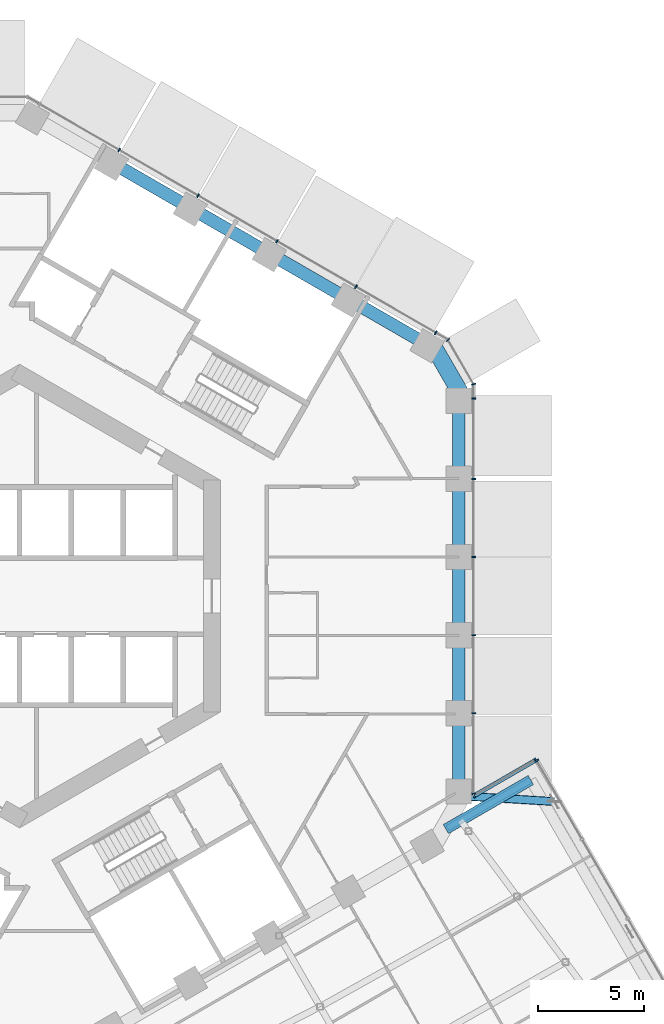
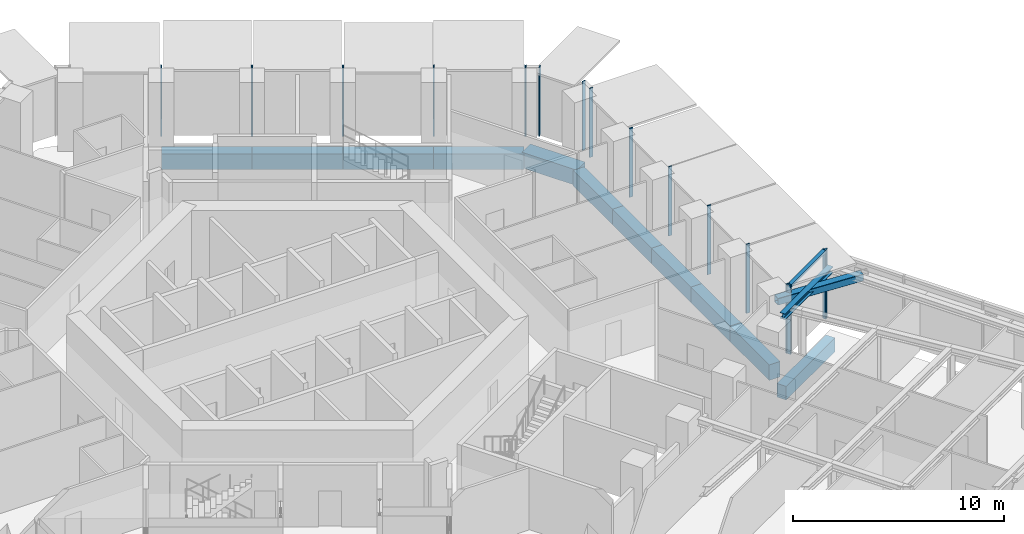
# One storey, part 7 of 28: 18 members, 12 beams, 5 elements without a shape of their own.
"""IFC4 building model written with IfcOpenShell, lengths in metres."""

from ifc_helpers import new_model, si_unit, direction, frame, origin, origin_2d, place, context, subcontext, project, spatial, rectangle, hollow_rectangle, i_section, extrude, material, layer, layer_set, material_profile, profile_set, type_object, element, aggregate, save


model = new_model("IFC4")

# Units and contexts
model_context = context("Model", 3, precision=1e-05, world=origin(), true_north=direction((0.0, 1.0)))
body_context = subcontext(model_context, "Body", "Model", "MODEL_VIEW")
ifc_project = project(units=[si_unit("LENGTHUNIT", "METRE"), si_unit("AREAUNIT", "SQUARE_METRE"), si_unit("VOLUMEUNIT", "CUBIC_METRE"), si_unit("PLANEANGLEUNIT", "RADIAN"), si_unit("MASSUNIT", "GRAM", prefix="KILO")], contexts=[model_context])

# Site, building, storey
site_placement = place(None, origin())
site = spatial("IfcSite", under=ifc_project, at=site_placement, CompositionType="ELEMENT")
building_placement = place(site_placement, origin())
building = spatial("IfcBuilding", under=site, at=building_placement, Name="Ayvan Gate Tower", CompositionType="ELEMENT")
storey_placement = place(building_placement, frame((0.0, 0.0, 74.300048828125)))
storey = spatial("IfcBuildingStorey", under=building, at=storey_placement, Name="L19", CompositionType="ELEMENT", Elevation=74.300048828125)

# Beams
ifc_material_1 = material(Name="Concrete C40/50", Category="concrete")
ifc_material_profile_1 = material_profile(ifc_material_1, rectangle(XDim=0.800048828125, YDim=0.89990234375, at=origin_2d()), Name="RC 800x900")
ifc_profile_set_1 = profile_set([ifc_material_profile_1], Name="Concrete C40/50")
beam_type_1 = type_object("IfcBeamType", Name="Corner spandrel beam RC 800x900 C40/50", PredefinedType="BEAM", material=ifc_profile_set_1)
beam_1_placement = place(storey_placement, frame((20.97509765625, 9.41162109375, -0.85009765625), z_axis=(-0.50002537861, 0.866010750942, 0.0), x_axis=(-0.866010750942, -0.50002537861, 0.0)))
element("IfcBeam", 1, at=beam_1_placement, inside=storey, type_object=beam_type_1, Name="SB-L19-6", PredefinedType="BEAM", context=body_context, shape_type="SweptSolid", body=[
    extrude(rectangle(XDim=0.800048828125, YDim=0.89990234375, at=origin_2d()), origin(), (0.0, 0.0, 1.0), 2.999755859375),
])
ifc_material_profile_2 = material_profile(ifc_material_1, rectangle(XDim=0.5, YDim=0.800048828125, at=origin_2d()), Name="RC 500x800")
ifc_profile_set_2 = profile_set([ifc_material_profile_2], Name="Concrete C40/50")
beam_type_2 = type_object("IfcBeamType", Name="Sky bar edge beam RC 500x800 C40/50", PredefinedType="BEAM", material=ifc_profile_set_2)
beam_2_placement = place(storey_placement, frame((20.171142578125, -11.024169921875, -0.800048828125), z_axis=(0.866037613427, 0.499978851683, 0.0), x_axis=(-0.499978851683, 0.866037613427, 0.0)))
element("IfcBeam", 2, at=beam_2_placement, inside=storey, type_object=beam_type_2, Name="EB-B1-L19-1", PredefinedType="BEAM", context=body_context, shape_type="SweptSolid", body=[
    extrude(rectangle(XDim=0.5, YDim=0.800048828125, at=origin_2d()), origin(), (0.0, 0.0, 1.0), 4.643310546875),
])
ifc_material_2 = material(Name="Steel S460ML", Category="steel")
ifc_material_profile_3 = material_profile(ifc_material_2, i_section(OverallWidth=0.300048828125, OverallDepth=0.340087890625, WebThickness=0.011962890625, FlangeThickness=0.021484375, FilletRadius=0.027099609375, at=origin_2d()), Name="HE 340 B")
ifc_profile_set_3 = profile_set([ifc_material_profile_3], Name="Steel S460ML")
beam_type_3 = type_object("IfcBeamType", Name="Sky bar roof edge beam B1 HE 340 B", PredefinedType="BEAM", material=ifc_profile_set_3)
beam_3_placement = place(storey_placement, frame((20.248046875, -10.979736328125, 3.530029296875), z_axis=(0.866017766086, 0.500013228649, 0.0), x_axis=(-0.500013228649, 0.866017766086, 0.0)))
element("IfcBeam", 3, at=beam_3_placement, inside=storey, type_object=beam_type_3, Name="RE-B1-2-1", PredefinedType="BEAM", context=body_context, shape_type="SweptSolid", body=[
    extrude(i_section(OverallWidth=0.300048828125, OverallDepth=0.340087890625, WebThickness=0.011962890625, FlangeThickness=0.021484375, FilletRadius=0.027099609375, at=origin_2d()), origin(), (0.0, 0.0, 1.0), 4.5546875),
])

# Member
ifc_material_3 = material(Name="Steel S460NH", Category="steel")
ifc_material_profile_4 = material_profile(ifc_material_3, hollow_rectangle(XDim=0.39990234375, YDim=0.39990234375, WallThickness=0.02001953125, InnerFilletRadius=0.02001953125, OuterFilletRadius=0.030029296875, at=origin_2d()), Name="RHS 400x400x20")
ifc_profile_set_4 = profile_set([ifc_material_profile_4], Name="Steel S460NH")
member_type_1 = type_object("IfcMemberType", Name="Sky bar truss brace B1 RHS 400x400x20", PredefinedType="BRACE", material=ifc_profile_set_4)
member_1_placement = place(storey_placement, frame((20.78466796875, -9.445556640625, 3.349853515625), z_axis=(0.99814068147, -0.060952276375, 0.0), x_axis=(0.060952276375, 0.99814068147, 0.0)))
element("IfcMember", 4, at=member_1_placement, inside=storey, type_object=member_type_1, Name="SBX1-A-TC-1", PredefinedType="CHORD", context=body_context, shape_type="SweptSolid", body=[
    extrude(hollow_rectangle(XDim=0.39990234375, YDim=0.39990234375, WallThickness=0.02001953125, InnerFilletRadius=0.02001953125, OuterFilletRadius=0.030029296875, at=origin_2d()), origin(), (0.0, 0.0, 1.0), 4.5302734375),
])

# Beams
ifc_material_profile_5 = material_profile(ifc_material_1, rectangle(XDim=0.60009765625, YDim=0.89990234375, at=origin_2d()), Name="RC 600x900")
ifc_profile_set_5 = profile_set([ifc_material_profile_5], Name="Concrete C40/50")
beam_type_4 = type_object("IfcBeamType", Name="Spandrel beam RC 600x900 C40/50", PredefinedType="BEAM", material=ifc_profile_set_5)
beam_4_placement = place(storey_placement, frame((20.78466796875, -9.301513671875, -0.85009765625), z_axis=(0.0, 1.0, 0.0), x_axis=(-1.0, 0.0, 0.0)))
element("IfcBeam", 5, at=beam_4_placement, inside=storey, type_object=beam_type_4, Name="SB-L19-1", PredefinedType="BEAM", context=body_context, shape_type="SweptSolid", body=[
    extrude(rectangle(XDim=0.60009765625, YDim=0.89990234375, at=origin_2d()), origin(), (0.0, 0.0, 1.0), 3.720703125),
])
beam_5_placement = place(storey_placement, frame((20.78466796875, -5.580810546875, -0.85009765625), z_axis=(0.0, 1.0, 0.0), x_axis=(-1.0, 0.0, 0.0)))
element("IfcBeam", 6, at=beam_5_placement, inside=storey, type_object=beam_type_4, Name="SB-L19-2", PredefinedType="BEAM", context=body_context, shape_type="SweptSolid", body=[
    extrude(rectangle(XDim=0.60009765625, YDim=0.89990234375, at=origin_2d()), origin(), (0.0, 0.0, 1.0), 3.720458984375),
])
beam_6_placement = place(storey_placement, frame((20.78466796875, -1.8603515625, -0.85009765625), z_axis=(0.0, 1.0, 0.0), x_axis=(-1.0, 0.0, 0.0)))
element("IfcBeam", 7, at=beam_6_placement, inside=storey, type_object=beam_type_4, Name="SB-L19-3", PredefinedType="BEAM", context=body_context, shape_type="SweptSolid", body=[
    extrude(rectangle(XDim=0.60009765625, YDim=0.89990234375, at=origin_2d()), origin(), (0.0, 0.0, 1.0), 3.720703125),
])
beam_7_placement = place(storey_placement, frame((20.78466796875, 1.8603515625, -0.85009765625), z_axis=(0.0, 1.0, 0.0), x_axis=(-1.0, 0.0, 0.0)))
element("IfcBeam", 8, at=beam_7_placement, inside=storey, type_object=beam_type_4, Name="SB-L19-4", PredefinedType="BEAM", context=body_context, shape_type="SweptSolid", body=[
    extrude(rectangle(XDim=0.60009765625, YDim=0.89990234375, at=origin_2d()), origin(), (0.0, 0.0, 1.0), 3.720458984375),
])
beam_8_placement = place(storey_placement, frame((20.78466796875, 5.580810546875, -0.85009765625), z_axis=(0.0, 1.0, 0.0), x_axis=(-1.0, 0.0, 0.0)))
element("IfcBeam", 9, at=beam_8_placement, inside=storey, type_object=beam_type_4, Name="SB-L19-5", PredefinedType="BEAM", context=body_context, shape_type="SweptSolid", body=[
    extrude(rectangle(XDim=0.60009765625, YDim=0.89990234375, at=origin_2d()), origin(), (0.0, 0.0, 1.0), 3.720703125),
])
for number, where, z_axis, x_axis, name in (
    (10, (19.28466796875, 11.899658203125, -0.85009765625), (-0.866037162714, 0.499979632384, 0.0), (-0.499979632384, -0.866037162714, 0.0), "SB-L19-7"),
    (11, (15.560302734375, 14.0498046875, -0.85009765625), (-0.866037162714, 0.499979632384, 0.0), (-0.499979632384, -0.866037162714, 0.0), "SB-L19-8"),
    (12, (11.8359375, 16.199951171875, -0.85009765625), (-0.866012580594, 0.500022209759, 0.0), (-0.500022209759, -0.866012580594, 0.0), "SB-L19-9"),
):
    element("IfcBeam", number, at=place(storey_placement, frame(where, z_axis=z_axis, x_axis=x_axis)), inside=storey, type_object=beam_type_4, Name=name, PredefinedType="BEAM", context=body_context, shape_type="SweptSolid", body=[
        extrude(rectangle(XDim=0.60009765625, YDim=0.89990234375, at=origin_2d()), origin(), (0.0, 0.0, 1.0), 4.300537109375),
    ])
beam_9_placement = place(storey_placement, frame((8.111572265625, 18.350341796875, -0.85009765625), z_axis=(-0.866022970146, 0.500004215162, 0.0), x_axis=(-0.500004215162, -0.866022970146, 0.0)))
element("IfcBeam", 13, at=beam_9_placement, inside=storey, type_object=beam_type_4, Name="SB-L19-10", PredefinedType="BEAM", context=body_context, shape_type="SweptSolid", body=[
    extrude(rectangle(XDim=0.60009765625, YDim=0.89990234375, at=origin_2d()), origin(), (0.0, 0.0, 1.0), 4.30029296875),
])

# Curtain wall, members
ifc_material_4 = material(Name="Bronze anodised aluminium", Category="aluminium")
ifc_layer_1 = layer(ifc_material_4, 0.199951171875)
ifc_layer_set_1 = layer_set([ifc_layer_1], Name="Bronze anodised aluminium")
curtain_wall_type_1 = type_object("IfcCurtainWallType", Name="Stick curtain wall CW-1", PredefinedType="NOTDEFINED", material=ifc_layer_set_1)
curtain_wall_1_placement = place(storey_placement, origin())
curtain_wall_1 = element("IfcCurtainWall", 14, at=curtain_wall_1_placement, inside=storey, type_object=curtain_wall_type_1, Name="Stick curtain wall CW-1 L19", PredefinedType="NOTDEFINED")
ifc_material_profile_6 = material_profile(ifc_material_4, rectangle(XDim=0.199951171875, YDim=0.06005859375, at=origin_2d()), Name="Stick curtain wall CW-1 mullion 200 x 60")
ifc_profile_set_6 = profile_set([ifc_material_profile_6], Name="Bronze anodised aluminium")
member_type_2 = type_object("IfcMemberType", Name="Stick curtain wall CW-1 mullion 200 x 60", PredefinedType="MULLION", material=ifc_profile_set_6)
member_2_placement = place(storey_placement, frame((21.484619140625, -9.346435546875, 0.0), z_axis=(0.0, 0.0, 1.0), x_axis=(1.0, 0.0, 0.0)))
member_2 = element("IfcMember", 15, at=member_2_placement, type_object=member_type_2, Name="CW-1 mullion 1", PredefinedType="MULLION", context=body_context, shape_type="SweptSolid", body=[
    extrude(rectangle(XDim=0.199951171875, YDim=0.06005859375, at=origin_2d()), origin(), (0.0, 0.0, 1.0), 4.0),
])
member_3_placement = place(storey_placement, frame((21.484619140625, -5.546630859375, 0.0), z_axis=(0.0, 0.0, 1.0), x_axis=(1.0, 0.0, 0.0)))
member_3 = element("IfcMember", 16, at=member_3_placement, type_object=member_type_2, Name="CW-1 mullion 2", PredefinedType="MULLION", context=body_context, shape_type="SweptSolid", body=[
    extrude(rectangle(XDim=0.199951171875, YDim=0.06005859375, at=origin_2d()), origin(), (0.0, 0.0, 1.0), 4.0),
])
member_4_placement = place(storey_placement, frame((21.484619140625, -1.8486328125, 0.0), z_axis=(0.0, 0.0, 1.0), x_axis=(1.0, 0.0, 0.0)))
member_4 = element("IfcMember", 17, at=member_4_placement, type_object=member_type_2, Name="CW-1 mullion 3", PredefinedType="MULLION", context=body_context, shape_type="SweptSolid", body=[
    extrude(rectangle(XDim=0.199951171875, YDim=0.06005859375, at=origin_2d()), origin(), (0.0, 0.0, 1.0), 4.0),
])
member_5_placement = place(storey_placement, frame((21.484619140625, 1.848388671875, 0.0), z_axis=(0.0, 0.0, 1.0), x_axis=(1.0, 0.0, 0.0)))
member_5 = element("IfcMember", 18, at=member_5_placement, type_object=member_type_2, Name="CW-1 mullion 4", PredefinedType="MULLION", context=body_context, shape_type="SweptSolid", body=[
    extrude(rectangle(XDim=0.199951171875, YDim=0.06005859375, at=origin_2d()), origin(), (0.0, 0.0, 1.0), 4.0),
])
member_6_placement = place(storey_placement, frame((21.484619140625, 5.54638671875, 0.0), z_axis=(0.0, 0.0, 1.0), x_axis=(1.0, 0.0, 0.0)))
member_6 = element("IfcMember", 19, at=member_6_placement, type_object=member_type_2, Name="CW-1 mullion 5", PredefinedType="MULLION", context=body_context, shape_type="SweptSolid", body=[
    extrude(rectangle(XDim=0.199951171875, YDim=0.06005859375, at=origin_2d()), origin(), (0.0, 0.0, 1.0), 4.0),
])
member_7_placement = place(storey_placement, frame((21.484619140625, 9.346435546875, 0.0), z_axis=(0.0, 0.0, 1.0), x_axis=(1.0, 0.0, 0.0)))
member_7 = element("IfcMember", 20, at=member_7_placement, type_object=member_type_2, Name="CW-1 mullion 6", PredefinedType="MULLION", context=body_context, shape_type="SweptSolid", body=[
    extrude(rectangle(XDim=0.199951171875, YDim=0.06005859375, at=origin_2d()), origin(), (0.0, 0.0, 1.0), 4.0),
])
aggregate(curtain_wall_1, [member_2, member_3, member_4, member_5, member_6, member_7])

curtain_wall_2_placement = place(storey_placement, origin())
curtain_wall_2 = element("IfcCurtainWall", 21, at=curtain_wall_2_placement, inside=storey, type_object=curtain_wall_type_1, Name="Stick curtain wall CW-1 L19", PredefinedType="NOTDEFINED")
member_8_placement = place(storey_placement, frame((19.6884765625, 12.45751953125, 0.0), z_axis=(0.0, 0.0, 1.0), x_axis=(0.5, 0.866025403784, 0.0)))
member_8 = element("IfcMember", 22, at=member_8_placement, type_object=member_type_2, Name="CW-1 mullion 1", PredefinedType="MULLION", context=body_context, shape_type="SweptSolid", body=[
    extrude(rectangle(XDim=0.199951171875, YDim=0.06005859375, at=origin_2d()), origin(), (0.0, 0.0, 1.0), 4.0),
])
member_9_placement = place(storey_placement, frame((15.917724609375, 14.634521484375, 0.0), z_axis=(0.0, 0.0, 1.0), x_axis=(0.5, 0.866025403784, 0.0)))
member_9 = element("IfcMember", 23, at=member_9_placement, type_object=member_type_2, Name="CW-1 mullion 2", PredefinedType="MULLION", context=body_context, shape_type="SweptSolid", body=[
    extrude(rectangle(XDim=0.199951171875, YDim=0.06005859375, at=origin_2d()), origin(), (0.0, 0.0, 1.0), 4.0),
])
member_10_placement = place(storey_placement, frame((12.183349609375, 16.79052734375, 0.0), z_axis=(0.0, 0.0, 1.0), x_axis=(0.5, 0.866025403784, 0.0)))
member_10 = element("IfcMember", 24, at=member_10_placement, type_object=member_type_2, Name="CW-1 mullion 3", PredefinedType="MULLION", context=body_context, shape_type="SweptSolid", body=[
    extrude(rectangle(XDim=0.199951171875, YDim=0.06005859375, at=origin_2d()), origin(), (0.0, 0.0, 1.0), 4.0),
])
member_11_placement = place(storey_placement, frame((8.44921875, 18.946533203125, 0.0), z_axis=(0.0, 0.0, 1.0), x_axis=(0.5, 0.866025403784, 0.0)))
member_11 = element("IfcMember", 25, at=member_11_placement, type_object=member_type_2, Name="CW-1 mullion 4", PredefinedType="MULLION", context=body_context, shape_type="SweptSolid", body=[
    extrude(rectangle(XDim=0.199951171875, YDim=0.06005859375, at=origin_2d()), origin(), (0.0, 0.0, 1.0), 4.0),
])
member_12_placement = place(storey_placement, frame((4.71484375, 21.1025390625, 0.0), z_axis=(0.0, 0.0, 1.0), x_axis=(0.5, 0.866025403784, 0.0)))
member_12 = element("IfcMember", 26, at=member_12_placement, type_object=member_type_2, Name="CW-1 mullion 5", PredefinedType="MULLION", context=body_context, shape_type="SweptSolid", body=[
    extrude(rectangle(XDim=0.199951171875, YDim=0.06005859375, at=origin_2d()), origin(), (0.0, 0.0, 1.0), 4.0),
])
aggregate(curtain_wall_2, [member_8, member_9, member_10, member_11, member_12])

# Curtain wall, member
ifc_layer_2 = layer(ifc_material_4, 0.199951171875)
ifc_layer_set_2 = layer_set([ifc_layer_2], Name="Bronze anodised aluminium")
curtain_wall_type_2 = type_object("IfcCurtainWallType", Name="Stick curtain wall CW-4", PredefinedType="NOTDEFINED", material=ifc_layer_set_2)
curtain_wall_3_placement = place(storey_placement, origin())
curtain_wall_3 = element("IfcCurtainWall", 27, at=curtain_wall_3_placement, inside=storey, type_object=curtain_wall_type_2, Name="Stick curtain wall CW-4 L19", PredefinedType="NOTDEFINED")
ifc_material_profile_7 = material_profile(ifc_material_4, rectangle(XDim=0.199951171875, YDim=0.080078125, at=origin_2d()), Name="Stick curtain wall CW-4 mullion 200 x 80")
ifc_profile_set_7 = profile_set([ifc_material_profile_7], Name="Bronze anodised aluminium")
member_type_3 = type_object("IfcMemberType", Name="Stick curtain wall CW-4 mullion 200 x 80", PredefinedType="MULLION", material=ifc_profile_set_7)
member_13_placement = place(storey_placement, frame((24.46875, -7.781005859375, 0.0), z_axis=(0.0, 0.0, 1.0), x_axis=(0.866025403784, 0.5, 0.0)))
member_13 = element("IfcMember", 28, at=member_13_placement, type_object=member_type_3, Name="CW-4 mullion 5", PredefinedType="MULLION", context=body_context, shape_type="SweptSolid", body=[
    extrude(rectangle(XDim=0.199951171875, YDim=0.080078125, at=origin_2d()), origin(), (0.0, 0.0, 1.0), 4.0),
])
aggregate(curtain_wall_3, [member_13])

# Curtain wall, members
curtain_wall_4_placement = place(storey_placement, origin())
curtain_wall_4 = element("IfcCurtainWall", 29, at=curtain_wall_4_placement, inside=storey, type_object=curtain_wall_type_2, Name="Stick curtain wall CW-4 L19", PredefinedType="NOTDEFINED")
member_14_placement = place(storey_placement, frame((24.4140625, -7.766357421875, 0.0), z_axis=(0.0, 0.0, 1.0), x_axis=(-0.5, 0.866025403784, 0.0)))
member_14 = element("IfcMember", 30, at=member_14_placement, type_object=member_type_3, Name="CW-4 mullion 1", PredefinedType="MULLION", context=body_context, shape_type="SweptSolid", body=[
    extrude(rectangle(XDim=0.199951171875, YDim=0.080078125, at=origin_2d()), origin(), (0.0, 0.0, 1.0), 4.0),
])
member_15_placement = place(storey_placement, frame((21.49365234375, -9.452392578125, 0.0), z_axis=(0.0, 0.0, 1.0), x_axis=(-0.5, 0.866025403784, 0.0)))
member_15 = element("IfcMember", 31, at=member_15_placement, type_object=member_type_3, Name="CW-4 mullion 2", PredefinedType="MULLION", context=body_context, shape_type="SweptSolid", body=[
    extrude(rectangle(XDim=0.199951171875, YDim=0.080078125, at=origin_2d()), origin(), (0.0, 0.0, 1.0), 4.0),
])
ifc_material_profile_8 = material_profile(ifc_material_4, rectangle(XDim=0.199951171875, YDim=0.139892578125, at=origin_2d()), Name="Stick curtain wall CW-4 transom 200 x 140")
ifc_profile_set_8 = profile_set([ifc_material_profile_8], Name="Bronze anodised aluminium")
member_type_4 = type_object("IfcMemberType", Name="Stick curtain wall CW-4 transom 200 x 140", PredefinedType="USERDEFINED", material=ifc_profile_set_8)
member_16_placement = place(storey_placement, frame((24.4140625, -7.766357421875, 3.929931640625), z_axis=(-0.866033677446, -0.499985669323, 0.0), x_axis=(0.499985669323, -0.866033677446, 0.0)))
member_16 = element("IfcMember", 32, at=member_16_placement, type_object=member_type_4, Name="CW-4 transom 1", ObjectType="TRANSOM", PredefinedType="USERDEFINED", context=body_context, shape_type="SweptSolid", body=[
    extrude(rectangle(XDim=0.199951171875, YDim=0.139892578125, at=origin_2d()), origin(), (0.0, 0.0, 1.0), 3.3720703125),
])
aggregate(curtain_wall_4, [member_14, member_15, member_16])

ifc_layer_3 = layer(ifc_material_4, 0.199951171875)
ifc_layer_set_3 = layer_set([ifc_layer_3], Name="Bronze anodised aluminium")
curtain_wall_type_3 = type_object("IfcCurtainWallType", Name="Stick curtain wall CW-6", PredefinedType="NOTDEFINED", material=ifc_layer_set_3)
curtain_wall_5_placement = place(storey_placement, origin())
curtain_wall_5 = element("IfcCurtainWall", 33, at=curtain_wall_5_placement, inside=storey, type_object=curtain_wall_type_3, Name="Stick curtain wall CW-6 L19", PredefinedType="NOTDEFINED")
ifc_material_profile_9 = material_profile(ifc_material_4, rectangle(XDim=0.199951171875, YDim=0.050048828125, at=origin_2d()), Name="Stick curtain wall CW-6 mullion 200 x 50")
ifc_profile_set_9 = profile_set([ifc_material_profile_9], Name="Bronze anodised aluminium")
member_type_5 = type_object("IfcMemberType", Name="Stick curtain wall CW-6 mullion 200 x 50", PredefinedType="MULLION", material=ifc_profile_set_9)
member_17_placement = place(storey_placement, frame((21.484619140625, 10.026611328125, 0.0), z_axis=(0.0, 0.0, 1.0), x_axis=(0.965925826289, 0.258819045103, 0.0)))
member_17 = element("IfcMember", 34, at=member_17_placement, type_object=member_type_5, Name="CW-6 mullion 2", PredefinedType="MULLION", context=body_context, shape_type="SweptSolid", body=[
    extrude(rectangle(XDim=0.199951171875, YDim=0.050048828125, at=origin_2d()), origin(), (0.0, 0.0, 1.0), 4.0),
])
member_18_placement = place(storey_placement, frame((20.27734375, 12.11767578125, 0.0), z_axis=(0.0, 0.0, 1.0), x_axis=(0.707106781187, 0.707106781187, 0.0)))
member_18 = element("IfcMember", 35, at=member_18_placement, type_object=member_type_5, Name="CW-6 mullion 3", PredefinedType="MULLION", context=body_context, shape_type="SweptSolid", body=[
    extrude(rectangle(XDim=0.199951171875, YDim=0.050048828125, at=origin_2d()), origin(), (0.0, 0.0, 1.0), 4.0),
])
aggregate(curtain_wall_5, [member_17, member_18])

save(model, "model.ifc")
